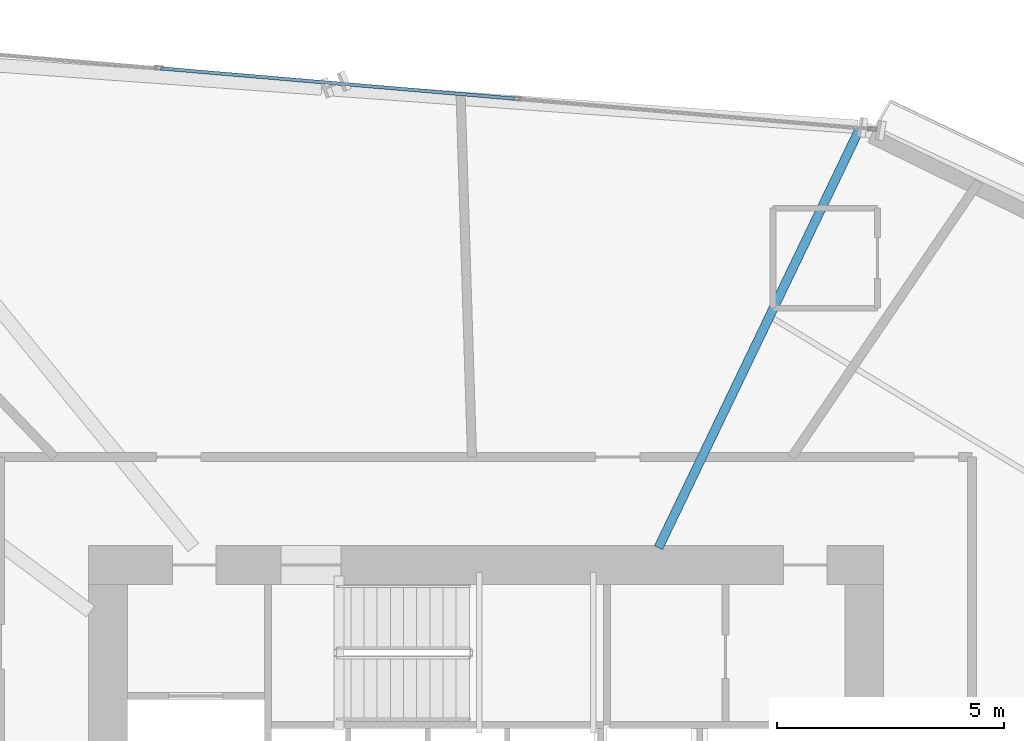
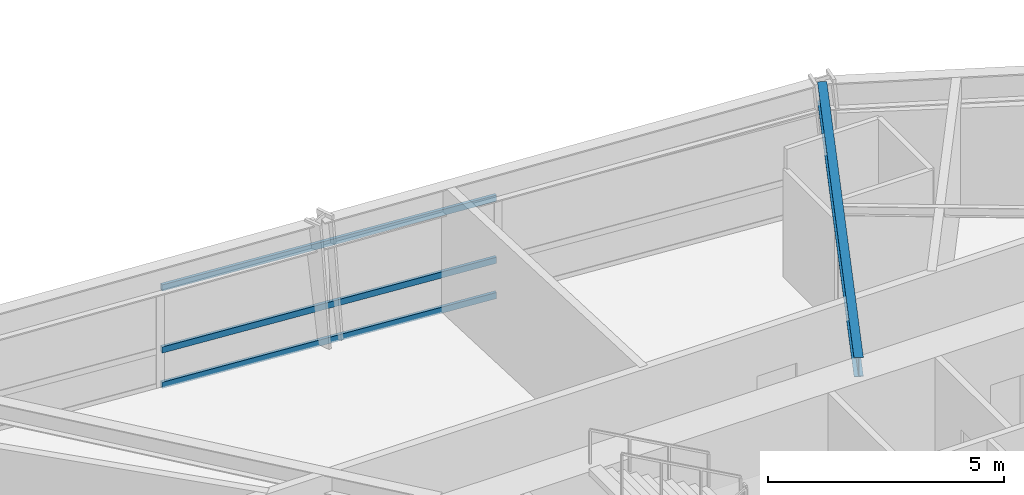
# One storey, part 9 of 21: 3 members, 1 beam, 1 element without a shape of its own.
"""IFC4 building model written with IfcOpenShell, lengths in metres."""

from ifc_helpers import new_model, si_unit, direction, frame, origin, origin_2d, place, context, subcontext, project, spatial, hollow_rectangle, i_section, extrude, source, transform, mapped, material, material_profile, profile_set, type_object, element, aggregate, save


model = new_model("IFC4")

# Units and contexts
model_context = context("Model", 3, precision=1e-05, world=origin(), true_north=direction((0.0, 1.0)))
body_context = subcontext(model_context, "Body", "Model", "MODEL_VIEW")
ifc_project = project(units=[si_unit("LENGTHUNIT", "METRE"), si_unit("AREAUNIT", "SQUARE_METRE"), si_unit("VOLUMEUNIT", "CUBIC_METRE"), si_unit("PLANEANGLEUNIT", "RADIAN"), si_unit("MASSUNIT", "GRAM", prefix="KILO")], contexts=[model_context])

# Site, building, storey
site_placement = place(None, origin())
site = spatial("IfcSite", under=ifc_project, at=site_placement, CompositionType="ELEMENT")
building_placement = place(site_placement, origin())
building = spatial("IfcBuilding", under=site, at=building_placement, Name="Olszyna Solenne Hotel", CompositionType="ELEMENT")
storey_placement = place(building_placement, frame((0.0, 0.0, 68.35009765625)))
storey = spatial("IfcBuildingStorey", under=building, at=storey_placement, Name="L17", CompositionType="ELEMENT", Elevation=68.35009765625)

# Beam
ifc_material_1 = material(Name="Steel S355J2", Category="steel")
ifc_material_profile_1 = material_profile(ifc_material_1, i_section(OverallWidth=0.199951171875, OverallDepth=0.5, WebThickness=0.01025390625, FlangeThickness=0.01611328125, at=origin_2d()), Name="IPE 500", Category="load-bearing")
ifc_profile_set_1 = profile_set([ifc_material_profile_1], Name="Steel S355J2")
beam_type = type_object("IfcBeamType", Name="BM-F3", PredefinedType="BEAM", material=ifc_profile_set_1)
shared_shape_1 = source(origin(), body_context, "Body", "SweptSolid", [
    extrude(i_section(OverallWidth=0.199951171875, OverallDepth=0.5, WebThickness=0.01025390625, FlangeThickness=0.01611328125, at=origin_2d()), origin(), (0.0, 0.0, 1.0), 10.214599609375),
])
beam_placement = place(storey_placement, frame((46.217041015625, 43.712890625, 3.0498046875), z_axis=(-0.432853833945, -0.90146411933, 0.0), x_axis=(0.90146411933, -0.432853833945, 0.0)))
element("IfcBeam", 1, at=beam_placement, inside=storey, type_object=beam_type, Name="Radial floor girder BM-F3 B-L17-0538", PredefinedType="BEAM", context=body_context, shape_type="MappedRepresentation", body=[
    mapped(shared_shape_1, transform((0.0, 0.0, 0.0), x_axis=(1.0, 0.0, 0.0), y_axis=(0.0, 1.0, 0.0), z_axis=(0.0, 0.0, 1.0), scale=1.0)),
])

# Curtain wall, members
ifc_material_2 = material(Name="Anodised bronze aluminium", Category="aluminium")
curtain_wall_type = type_object("IfcCurtainWallType", Name="CW-SYS-2", PredefinedType="NOTDEFINED", material=ifc_material_2)
curtain_wall_placement = place(storey_placement, origin())
curtain_wall = element("IfcCurtainWall", 2, at=curtain_wall_placement, inside=storey, type_object=curtain_wall_type, Name="Unitised curtain wall CW-SYS-2 CW-L17-02", PredefinedType="NOTDEFINED")
ifc_material_profile_2 = material_profile(ifc_material_2, hollow_rectangle(XDim=0.074951171875, YDim=0.159912109375, WallThickness=0.00390625, at=origin_2d()), Name="TRAN 160x75x4", Category="load-bearing")
ifc_profile_set_2 = profile_set([ifc_material_profile_2], Name="Anodised bronze aluminium")
member_type = type_object("IfcMemberType", Name="CW-T1", PredefinedType="USERDEFINED", material=ifc_profile_set_2)
shared_shape_2 = source(origin(), body_context, "Body", "SweptSolid", [
    extrude(hollow_rectangle(XDim=0.074951171875, YDim=0.159912109375, WallThickness=0.00390625, at=origin_2d()), origin(), (0.0, 0.0, 1.0), 7.826171875),
])
member_1_placement = place(storey_placement, frame((30.83544921875, 45.05810546875, 0.037353515625), z_axis=(0.996369743344, -0.085131278321, 0.0), x_axis=(0.085131278321, 0.996369743344, 0.0)))
member_1 = element("IfcMember", 3, at=member_1_placement, type_object=member_type, Name="Curtain-wall transom CW-T1 CT-L17-02-04", ObjectType="TRANSOM", PredefinedType="USERDEFINED", context=body_context, shape_type="MappedRepresentation", body=[
    mapped(shared_shape_2, transform((0.0, 0.0, 0.0), x_axis=(1.0, 0.0, 0.0), y_axis=(0.0, 1.0, 0.0), z_axis=(0.0, 0.0, 1.0), scale=1.0)),
])
member_2_placement = place(storey_placement, frame((30.83544921875, 45.05810546875, 0.949951171875), z_axis=(0.996369743344, -0.085131278321, 0.0), x_axis=(0.085131278321, 0.996369743344, 0.0)))
member_2 = element("IfcMember", 4, at=member_2_placement, type_object=member_type, Name="Curtain-wall transom CW-T1 CT-L17-02-05", ObjectType="TRANSOM", PredefinedType="USERDEFINED", context=body_context, shape_type="MappedRepresentation", body=[
    mapped(shared_shape_2, transform((0.0, 0.0, 0.0), x_axis=(1.0, 0.0, 0.0), y_axis=(0.0, 1.0, 0.0), z_axis=(0.0, 0.0, 1.0), scale=1.0)),
])
member_3_placement = place(storey_placement, frame((30.83544921875, 45.05810546875, 2.554443359375), z_axis=(0.996369743344, -0.085131278321, 0.0), x_axis=(0.085131278321, 0.996369743344, 0.0)))
member_3 = element("IfcMember", 5, at=member_3_placement, type_object=member_type, Name="Curtain-wall transom CW-T1 CT-L17-02-06", ObjectType="TRANSOM", PredefinedType="USERDEFINED", context=body_context, shape_type="MappedRepresentation", body=[
    mapped(shared_shape_2, transform((0.0, 0.0, 0.0), x_axis=(1.0, 0.0, 0.0), y_axis=(0.0, 1.0, 0.0), z_axis=(0.0, 0.0, 1.0), scale=1.0)),
])
aggregate(curtain_wall, [member_1, member_2, member_3])

save(model, "model.ifc")
